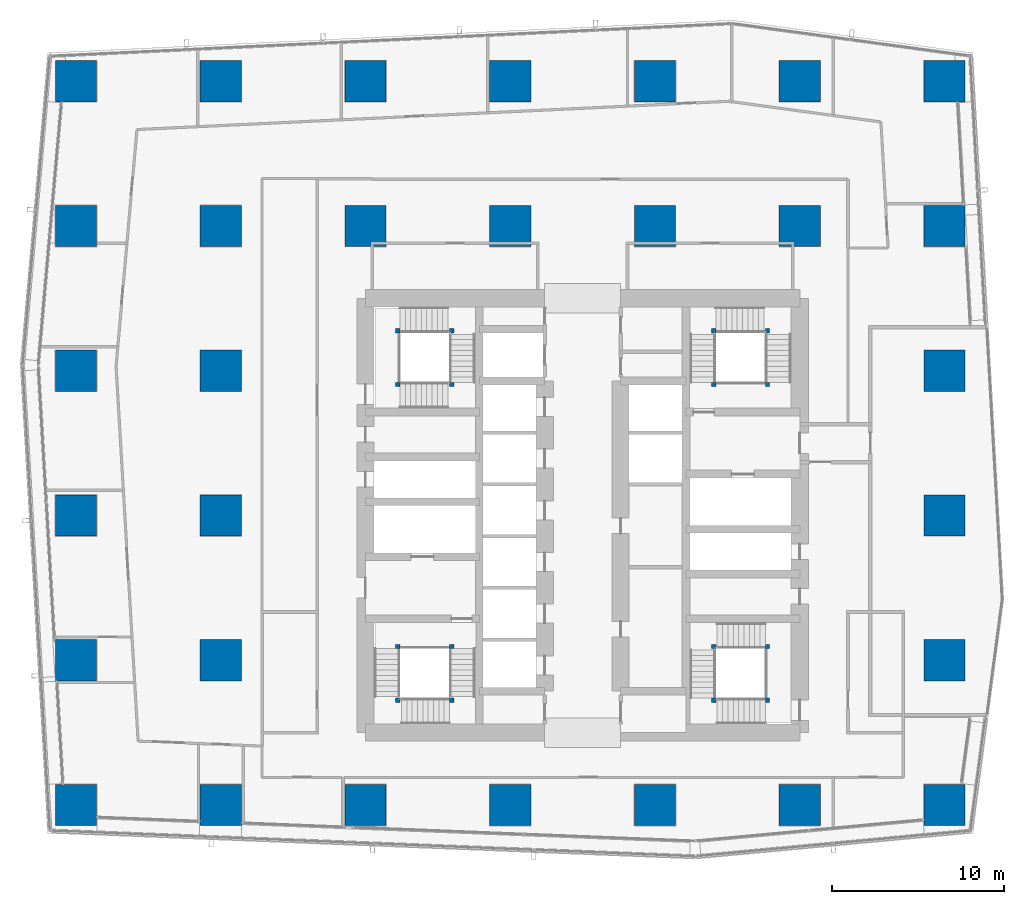
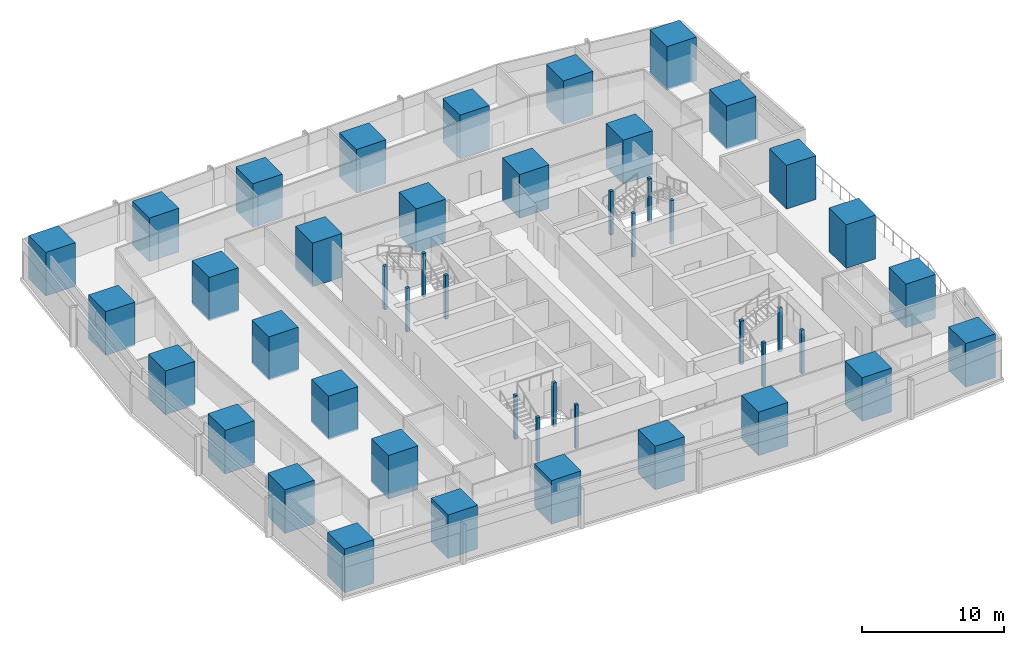
# One storey, part 1 of 34: 46 columns.
"""IFC4 building model written with IfcOpenShell, lengths in metres."""

import ifcopenshell
import ifcopenshell.guid

model = None  # the IFC model being written
_history = None  # IfcOwnerHistory: only IFC2X3 demands one
_inside = {}  # id of a spatial element -> (the spatial element, [elements in it])
_under = {}  # id of a project, library or spatial element -> (it, [spatial elements below it])
_declared = {}  # id of a project -> (the project, [libraries it declares])
_typed = {}  # id of a type object -> (the type object, [elements of that type])
_made_of = {}  # id of a material, layer set ... -> (it, [elements and type objects made of it])


def new_model(schema):
    """Start an empty IFC model of exactly this schema.

    Asked for "IFC4X3", IfcOpenShell would pick the latest addendum, in which some entities
    have other attributes; the version numbers below select the first issue.
    IFC2X3 requires an IfcOwnerHistory on every rooted entity: one is made here for all.
    """
    global model, _history
    if schema == "IFC4X3":
        model = ifcopenshell.file(schema_version=(4, 3, 0, 0))
    else:
        model = ifcopenshell.file(schema=schema)
    _inside.clear()
    _under.clear()
    _declared.clear()
    _typed.clear()
    _made_of.clear()
    _history = None
    if model.schema == "IFC2X3":
        org = make("IfcOrganization", Name="unknown")
        user = make(
            "IfcPersonAndOrganization",
            ThePerson=make("IfcPerson", FamilyName="unknown"),
            TheOrganization=org,
        )
        app = make(
            "IfcApplication",
            ApplicationDeveloper=org,
            Version="unknown",
            ApplicationFullName="unknown",
            ApplicationIdentifier="unknown",
        )
        _history = make(
            "IfcOwnerHistory",
            OwningUser=user,
            OwningApplication=app,
            ChangeAction="ADDED",
            CreationDate=0,
        )
    return model


def make(cls, **values):
    """One entity of the class cls with the attributes given. An attribute that is None is left unset."""
    return model.create_entity(
        cls, **{name: value for name, value in values.items() if value is not None}
    )


def rooted(cls, **values):
    """An entity with a GlobalId (a new one), such as an element, a storey or a relation."""
    return make(cls, GlobalId=ifcopenshell.guid.new(), OwnerHistory=_history, **values)


def si_unit(unit_type, name, prefix=None):
    """IfcSIUnit, for example si_unit("LENGTHUNIT", "METRE", prefix="MILLI")."""
    return make("IfcSIUnit", UnitType=unit_type, Prefix=prefix, Name=name)


def assignment(units):
    """IfcUnitAssignment: the units of a project."""
    return None if units is None else make("IfcUnitAssignment", Units=units)


def point(xyz):
    """IfcCartesianPoint."""
    return None if xyz is None else make("IfcCartesianPoint", Coordinates=xyz)


def direction(xyz):
    """IfcDirection."""
    return None if xyz is None else make("IfcDirection", DirectionRatios=xyz)


def frame(location, z_axis=None, x_axis=None):
    """IfcAxis2Placement3D, a coordinate frame: its origin and axes. An axis left out is left unset."""
    return make(
        "IfcAxis2Placement3D",
        Location=point(location),
        Axis=direction(z_axis),
        RefDirection=direction(x_axis),
    )


def frame_2d(location, x_axis=None):
    """IfcAxis2Placement2D, a coordinate frame in the plane: its origin and x axis."""
    return make(
        "IfcAxis2Placement2D", Location=point(location), RefDirection=direction(x_axis)
    )


def origin():
    """The frame at (0, 0, 0) with its axes left unset."""
    return frame((0.0, 0.0, 0.0))


def origin_2d():
    """The frame at (0, 0) in the plane with its x axis left unset."""
    return frame_2d((0.0, 0.0))


def place(relative_to, where):
    """IfcLocalPlacement: puts the frame where relative to a parent placement (None: the world)."""
    return make(
        "IfcLocalPlacement", PlacementRelTo=relative_to, RelativePlacement=where
    )


def context(
    kind, dimensions, precision=None, world=None, true_north=None, identifier=None
):
    """IfcGeometricRepresentationContext, for example the 3D "Model" context."""
    return make(
        "IfcGeometricRepresentationContext",
        ContextIdentifier=identifier,
        ContextType=kind,
        CoordinateSpaceDimension=dimensions,
        Precision=precision,
        WorldCoordinateSystem=world,
        TrueNorth=true_north,
    )


def subcontext(parent, identifier, kind, view, scale=None):
    """IfcGeometricRepresentationSubContext, for example "Body" below "Model"."""
    return make(
        "IfcGeometricRepresentationSubContext",
        ContextIdentifier=identifier,
        ContextType=kind,
        ParentContext=parent,
        TargetScale=scale,
        TargetView=view,
    )


def project(units=None, contexts=None):
    """IfcProject with its units and contexts."""
    return rooted(
        "IfcProject",
        Name="project",
        RepresentationContexts=contexts,
        UnitsInContext=assignment(units),
    )


def spatial(cls, under=None, at=None, **own):
    """A site, building, storey or space (cls), placed at a placement, below another one or the project."""
    s = rooted(cls, ObjectPlacement=at, **own)
    if under is not None:
        _under.setdefault(under.id(), (under, []))[1].append(s)
    return s


def profile(cls, at=None, kind="AREA", **sizes):
    """A parametric profile (cls). Its sizes go by their IFC names, for example OverallWidth=200.0."""
    return make(cls, ProfileType=kind, Position=at, **sizes)


def rectangle(**sizes):
    """IfcRectangleProfileDef."""
    return profile("IfcRectangleProfileDef", **sizes)


def extrude(swept, where, along, depth):
    """IfcExtrudedAreaSolid: the profile swept, set in the frame where, extruded along a direction by depth."""
    return make(
        "IfcExtrudedAreaSolid",
        SweptArea=swept,
        Position=where,
        ExtrudedDirection=direction(along),
        Depth=depth,
    )


def shape(context_of_items, identifier, shape_type, items):
    """IfcShapeRepresentation: the items that make up one representation, for example the "Body"."""
    return make(
        "IfcShapeRepresentation",
        ContextOfItems=context_of_items,
        RepresentationIdentifier=identifier,
        RepresentationType=shape_type,
        Items=items,
    )


def material(Name=None, Category=None):
    """IfcMaterial."""
    return make("IfcMaterial", Name=Name, Category=Category)


def material_profile(
    of_material, cross_section, Name=None, Category=None, Priority=None
):
    """IfcMaterialProfile: a cross section and its material."""
    return make(
        "IfcMaterialProfile",
        Name=Name,
        Material=of_material,
        Profile=cross_section,
        Priority=Priority,
        Category=Category,
    )


def profile_set(profiles, Name=None, composite=None):
    """IfcMaterialProfileSet."""
    return make(
        "IfcMaterialProfileSet",
        Name=Name,
        MaterialProfiles=profiles,
        CompositeProfile=composite,
    )


def made_of(thing, what):
    """Note that an element or type object is made of a material, layer set ...; save() writes the relation."""
    if what is not None:
        _made_of.setdefault(what.id(), (what, []))[1].append(thing)
    return thing


def type_object(cls, material=None, **own):
    """A type object (cls), such as IfcWallType, which elements share."""
    return made_of(rooted(cls, **own), material)


def element(
    cls,
    number,
    at=None,
    inside=None,
    cuts=None,
    type_object=None,
    material=None,
    context=None,
    identifier="Body",
    shape_type=None,
    held_by="IfcProductDefinitionShape",
    body=None,
    shapes=None,
    **own,
):
    """One element of the class cls, such as IfcWall. Its Tag is "e" and its number.

    at: its placement. inside: the storey or other place that contains it. cuts: it is an
    opening in that element (IfcRelVoidsElement). A single representation is given by context,
    identifier, shape_type and body (its items); several are given by shapes. held_by: the class
    of the entity that holds the representations. save() writes the other relations.
    """
    e = rooted(cls, Tag="e%d" % number, ObjectPlacement=at, **own)
    if body is not None:
        shapes = [shape(context, identifier, shape_type, body)]
    if shapes is not None:
        e.Representation = make(held_by, Representations=shapes)
    if inside is not None:
        _inside.setdefault(inside.id(), (inside, []))[1].append(e)
    if cuts is not None:
        rooted(
            "IfcRelVoidsElement", RelatingBuildingElement=cuts, RelatedOpeningElement=e
        )
    if type_object is not None:
        _typed.setdefault(type_object.id(), (type_object, []))[1].append(e)
    return made_of(e, material)


def aggregate(whole, parts):
    """IfcRelAggregates: a whole, such as a stair, and the parts it consists of."""
    return rooted("IfcRelAggregates", RelatingObject=whole, RelatedObjects=parts)


def save(model, path):
    """Write the relations noted so far, then the file.

    IfcRelAggregates (storeys below a building ...), IfcRelContainedInSpatialStructure (elements
    in a storey), IfcRelDefinesByType, IfcRelAssociatesMaterial and IfcRelDeclares: one each for
    every whole, place, type object, material and project.
    """
    for whole, parts in _under.values():
        aggregate(whole, parts)
    for where, things in _inside.values():
        rooted(
            "IfcRelContainedInSpatialStructure",
            RelatedElements=things,
            RelatingStructure=where,
        )
    for kind, things in _typed.values():
        rooted("IfcRelDefinesByType", RelatedObjects=things, RelatingType=kind)
    for what, things in _made_of.values():
        rooted("IfcRelAssociatesMaterial", RelatedObjects=things, RelatingMaterial=what)
    for by, libraries in _declared.values():
        rooted("IfcRelDeclares", RelatingContext=by, RelatedDefinitions=libraries)
    model.write(path)


model = new_model("IFC4")

# Units and contexts
model_context = context("Model", 3, precision=1e-05, world=origin(), true_north=direction((0.0, 1.0)))
body_context = subcontext(model_context, "Body", "Model", "MODEL_VIEW")
ifc_project = project(units=[si_unit("LENGTHUNIT", "METRE"), si_unit("AREAUNIT", "SQUARE_METRE"), si_unit("VOLUMEUNIT", "CUBIC_METRE"), si_unit("PLANEANGLEUNIT", "RADIAN"), si_unit("MASSUNIT", "GRAM", prefix="KILO")], contexts=[model_context])

# Site, building, storey
site_placement = place(None, origin())
site = spatial("IfcSite", under=ifc_project, at=site_placement, CompositionType="ELEMENT")
building_placement = place(site_placement, origin())
building = spatial("IfcBuilding", under=site, at=building_placement, Name="Rekha Terrace Tower", CompositionType="ELEMENT")
storey_placement = place(building_placement, frame((0.0, 0.0, 236.449951171875)))
storey = spatial("IfcBuildingStorey", under=building, at=storey_placement, Name="L60", CompositionType="ELEMENT", Elevation=236.449951171875)

# Columns
ifc_material_1 = material(Name="Concrete M70", Category="concrete")
ifc_material_profile_1 = material_profile(ifc_material_1, rectangle(XDim=2.39990234375, YDim=2.39990234375, at=origin_2d()), Name="RC 2400x2400")
ifc_profile_set_1 = profile_set([ifc_material_profile_1], Name="Concrete M70")
column_type_1 = type_object("IfcColumnType", Name="C4B 2400x2400 column", PredefinedType="COLUMN", material=ifc_profile_set_1)
for number, where, z_axis, x_axis, name in (
    (1, (8.39990234375, 16.800048828125, 0.0), (0.0, 0.0, 1.0), (1.0, 0.0, 0.0), "Column C4B 2/C L60"),
    (2, (8.39990234375, 25.199951171875, 0.0), (0.0, 0.0, 1.0), (1.0, 0.0, 0.0), "Column C4B 2/D L60"),
    (3, (8.39990234375, 33.60009765625, 0.0), (0.0, 0.0, 1.0), (1.0, 0.0, 0.0), "Column C4B 2/E L60"),
    (4, (8.39990234375, 42.0, 0.0), (0.0, 0.0, 1.0), (1.0, 0.0, 0.0), "Column C4B 2/F L60"),
    (5, (8.39990234375, 50.39990234375, 0.0), (0.0, 0.0, 1.0), (1.0, 0.0, 0.0), "Column C4B 2/G L60"),
    (6, (8.39990234375, 58.800048828125, 0.0), (0.0, 0.0, 1.0), (1.0, 0.0, 0.0), "Column C4B 2/H L60"),
    (7, (16.800048828125, 16.800048828125, 0.0), (0.0, 0.0, 1.0), (1.0, 0.0, 0.0), "Column C4B 3/C L60"),
    (8, (16.800048828125, 25.199951171875, 0.0), (0.0, 0.0, 1.0), (1.0, 0.0, 0.0), "Column C4B 3/D L60"),
    (9, (16.800048828125, 33.60009765625, 0.0), (0.0, 0.0, 1.0), (1.0, 0.0, 0.0), "Column C4B 3/E L60"),
    (10, (16.800048828125, 42.0, 0.0), (0.0, 0.0, 1.0), (1.0, 0.0, 0.0), "Column C4B 3/F L60"),
    (11, (16.800048828125, 50.39990234375, 0.0), (0.0, 0.0, 1.0), (1.0, 0.0, 0.0), "Column C4B 3/G L60"),
    (12, (16.800048828125, 58.800048828125, 0.0), (0.0, 0.0, 1.0), (1.0, 0.0, 0.0), "Column C4B 3/H L60"),
    (13, (25.199951171875, 16.800048828125, 0.0), (0.0, 0.0, 1.0), (1.0, 0.0, 0.0), "Column C4B 4/C L60"),
    (14, (25.199951171875, 50.39990234375, 0.0), (0.0, 0.0, 1.0), (1.0, 0.0, 0.0), "Column C4B 4/G L60"),
    (15, (25.199951171875, 58.800048828125, 0.0), (0.0, 0.0, 1.0), (1.0, 0.0, 0.0), "Column C4B 4/H L60"),
    (16, (33.60009765625, 16.800048828125, 0.0), (0.0, 0.0, 1.0), (1.0, 0.0, 0.0), "Column C4B 5/C L60"),
    (17, (33.60009765625, 50.39990234375, 0.0), (0.0, 0.0, 1.0), (1.0, 0.0, 0.0), "Column C4B 5/G L60"),
    (18, (33.60009765625, 58.800048828125, 0.0), (0.0, 0.0, 1.0), (1.0, 0.0, 0.0), "Column C4B 5/H L60"),
    (19, (42.0, 16.800048828125, 0.0), (0.0, 0.0, 1.0), (1.0, 0.0, 0.0), "Column C4B 6/C L60"),
    (20, (42.0, 50.39990234375, 0.0), (0.0, 0.0, 1.0), (1.0, 0.0, 0.0), "Column C4B 6/G L60"),
    (21, (42.0, 58.800048828125, 0.0), (0.0, 0.0, 1.0), (1.0, 0.0, 0.0), "Column C4B 6/H L60"),
    (22, (50.39990234375, 16.800048828125, 0.0), (0.0, 0.0, 1.0), (1.0, 0.0, 0.0), "Column C4B 7/C L60"),
    (23, (50.39990234375, 50.39990234375, 0.0), (0.0, 0.0, 1.0), (1.0, 0.0, 0.0), "Column C4B 7/G L60"),
    (24, (50.39990234375, 58.800048828125, 0.0), (0.0, 0.0, 1.0), (1.0, 0.0, 0.0), "Column C4B 7/H L60"),
    (25, (58.800048828125, 16.800048828125, 0.0), (0.0, 0.0, 1.0), (1.0, 0.0, 0.0), "Column C4B 8/C L60"),
    (26, (58.800048828125, 25.199951171875, 0.0), (0.0, 0.0, 1.0), (1.0, 0.0, 0.0), "Column C4B 8/D L60"),
    (27, (58.800048828125, 33.60009765625, 0.0), (0.0, 0.0, 1.0), (1.0, 0.0, 0.0), "Column C4B 8/E L60"),
    (28, (58.800048828125, 42.0, 0.0), (0.0, 0.0, 1.0), (1.0, 0.0, 0.0), "Column C4B 8/F L60"),
    (29, (58.800048828125, 50.39990234375, 0.0), (0.0, 0.0, 1.0), (1.0, 0.0, 0.0), "Column C4B 8/G L60"),
    (30, (58.800048828125, 58.800048828125, 0.0), (0.0, 0.0, 1.0), (1.0, 0.0, 0.0), "Column C4B 8/H L60"),
):
    element("IfcColumn", number, at=place(storey_placement, frame(where, z_axis=z_axis, x_axis=x_axis)), inside=storey, type_object=column_type_1, Name=name, PredefinedType="COLUMN", context=body_context, shape_type="SweptSolid", body=[
        extrude(rectangle(XDim=2.39990234375, YDim=2.39990234375, at=origin_2d()), origin(), (0.0, 0.0, 1.0), 3.75),
    ])
ifc_material_2 = material(Name="Concrete M60", Category="concrete")
ifc_material_profile_2 = material_profile(ifc_material_2, rectangle(XDim=0.25, YDim=0.25, at=origin_2d()), Name="RC 250x250")
ifc_profile_set_2 = profile_set([ifc_material_profile_2], Name="Concrete M60")
column_type_2 = type_object("IfcColumnType", Name="NP1 250x250 stair newel post", PredefinedType="COLUMN", material=ifc_profile_set_2)
for number, where, z_axis, x_axis, name in (
    (31, (30.199951171875, 26.0, 0.0), (0.0, 0.0, 1.0), (1.0, 0.0, 0.0), "Stair newel post NP1"),
    (32, (30.199951171875, 22.875, 0.0), (0.0, 0.0, 1.0), (1.0, 0.0, 0.0), "Stair newel post NP1"),
    (33, (27.074951171875, 22.875, 0.0), (0.0, 0.0, 1.0), (1.0, 0.0, 0.0), "Stair newel post NP1"),
    (34, (27.074951171875, 26.0, 0.0), (0.0, 0.0, 1.0), (1.0, 0.0, 0.0), "Stair newel post NP1"),
    (35, (45.39990234375, 41.199951171875, 0.0), (0.0, 0.0, 1.0), (1.0, 0.0, 0.0), "Stair newel post NP1"),
    (36, (45.39990234375, 44.324951171875, 0.0), (0.0, 0.0, 1.0), (1.0, 0.0, 0.0), "Stair newel post NP1"),
    (37, (48.52490234375, 44.324951171875, 0.0), (0.0, 0.0, 1.0), (1.0, 0.0, 0.0), "Stair newel post NP1"),
    (38, (48.52490234375, 41.199951171875, 0.0), (0.0, 0.0, 1.0), (1.0, 0.0, 0.0), "Stair newel post NP1"),
    (39, (48.52490234375, 22.875, 0.0), (0.0, 0.0, 1.0), (1.0, 0.0, 0.0), "Stair newel post NP1"),
    (40, (45.39990234375, 22.875, 0.0), (0.0, 0.0, 1.0), (1.0, 0.0, 0.0), "Stair newel post NP1"),
    (41, (45.39990234375, 26.0, 0.0), (0.0, 0.0, 1.0), (1.0, 0.0, 0.0), "Stair newel post NP1"),
    (42, (48.52490234375, 26.0, 0.0), (0.0, 0.0, 1.0), (1.0, 0.0, 0.0), "Stair newel post NP1"),
    (43, (27.074951171875, 41.199951171875, 0.0), (0.0, 0.0, 1.0), (1.0, 0.0, 0.0), "Stair newel post NP1"),
    (44, (30.199951171875, 41.199951171875, 0.0), (0.0, 0.0, 1.0), (1.0, 0.0, 0.0), "Stair newel post NP1"),
    (45, (30.199951171875, 44.324951171875, 0.0), (0.0, 0.0, 1.0), (1.0, 0.0, 0.0), "Stair newel post NP1"),
    (46, (27.074951171875, 44.324951171875, 0.0), (0.0, 0.0, 1.0), (1.0, 0.0, 0.0), "Stair newel post NP1"),
):
    element("IfcColumn", number, at=place(storey_placement, frame(where, z_axis=z_axis, x_axis=x_axis)), inside=storey, type_object=column_type_2, Name=name, PredefinedType="COLUMN", context=body_context, shape_type="SweptSolid", body=[
        extrude(rectangle(XDim=0.25, YDim=0.25, at=origin_2d()), origin(), (0.0, 0.0, 1.0), 3.75),
    ])

save(model, "model.ifc")
